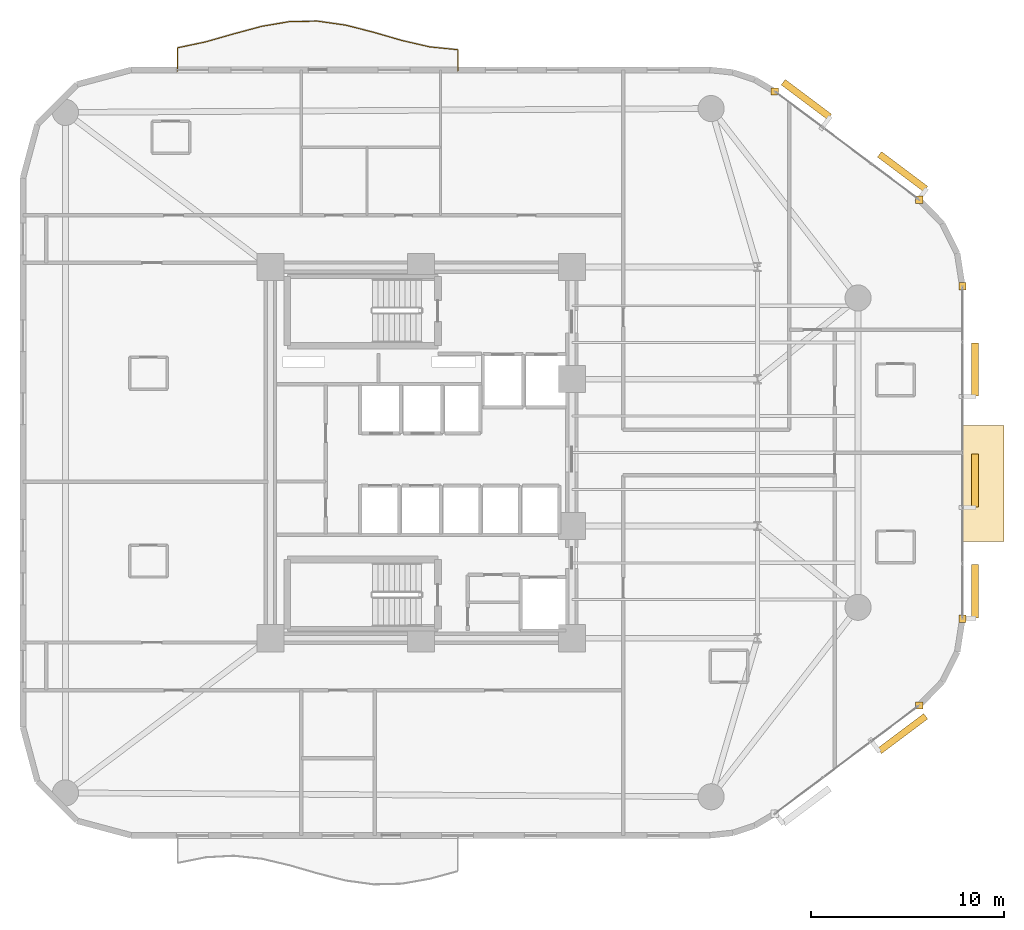
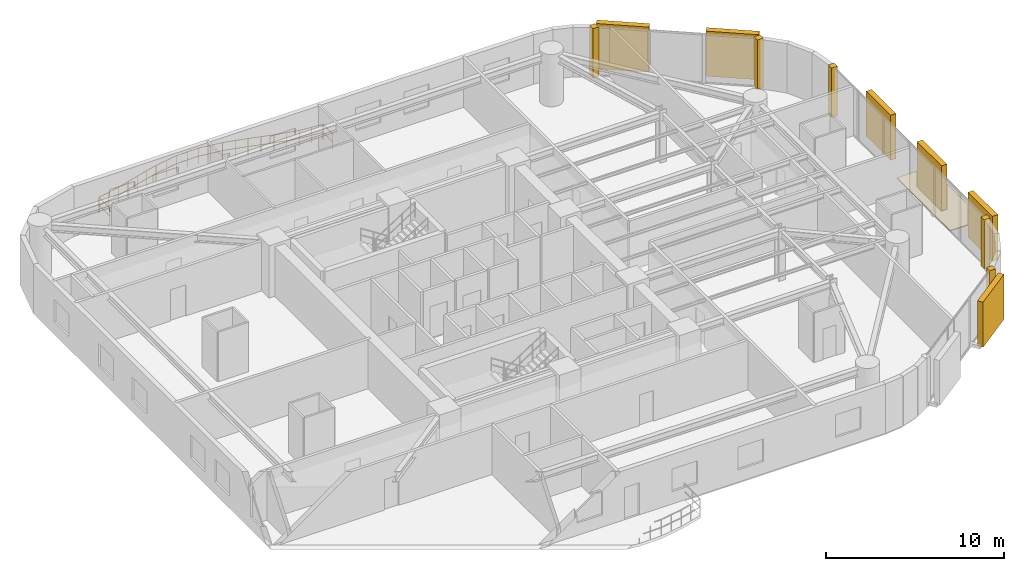
# One storey, part 16 of 16: 6 coverings, 6 shading devices, 1 railing.
"""IFC4 building model written with IfcOpenShell, lengths in metres."""

from ifc_helpers import new_model, si_unit, direction, frame, origin, origin_2d, place, context, subcontext, project, spatial, polyline, rectangle, circle, outline, extrude, material, layer, layer_set, type_object, element, save


model = new_model("IFC4")

# Units and contexts
model_context = context("Model", 3, precision=1e-05, world=origin(), true_north=direction((0.0, 1.0)))
body_context = subcontext(model_context, "Body", "Model", "MODEL_VIEW")
ifc_project = project(units=[si_unit("LENGTHUNIT", "METRE"), si_unit("AREAUNIT", "SQUARE_METRE"), si_unit("VOLUMEUNIT", "CUBIC_METRE"), si_unit("PLANEANGLEUNIT", "RADIAN"), si_unit("MASSUNIT", "GRAM", prefix="KILO")], contexts=[model_context])

# Site, building, storey
site_placement = place(None, origin())
site = spatial("IfcSite", under=ifc_project, at=site_placement, CompositionType="ELEMENT")
building_placement = place(site_placement, origin())
building = spatial("IfcBuilding", under=site, at=building_placement, Name="An Khanh Terracotta Commons", CompositionType="ELEMENT")
storey_placement = place(building_placement, frame((0.0, 0.0, 107.89990234375)))
storey = spatial("IfcBuildingStorey", under=building, at=storey_placement, Name="L28", CompositionType="ELEMENT", Elevation=107.89990234375)

# Coverings
ifc_material_1 = material(Name="Fired Terracotta Rainscreen Cladding", Category="masonry")
ifc_layer_1 = layer(ifc_material_1, 0.080078125, Name="Fired Terracotta Rainscreen Cladding")
ifc_layer_set_1 = layer_set([ifc_layer_1], Name="Fired Terracotta Rainscreen Cladding")
covering_type_1 = type_object("IfcCoveringType", Name="COV-JAMB-TERRA", PredefinedType="CLADDING", material=ifc_layer_set_1)
for number, where, z_axis, x_axis, name in (
    (1, (55.159912109375, 10.919921875, 0.000244140625), (0.0, 0.0, 1.0), (1.0, 0.0, 0.0), "L28 CW-02 Curtain-Wall Jamb Closure JB"),
    (2, (57.39990234375, 15.39990234375, 0.000244140625), (0.0, 0.0, 1.0), (1.0, 0.0, 0.0), "L28 CW-02 Curtain-Wall Jamb Closure JA"),
    (3, (57.39990234375, 32.60009765625, 0.000244140625), (0.0, 0.0, 1.0), (1.0, 0.0, 0.0), "L28 CW-02 Curtain-Wall Jamb Closure JB"),
    (4, (55.159912109375, 37.080078125, 0.000244140625), (0.0, 0.0, 1.0), (1.0, 0.0, 0.0), "L28 CW-02 Curtain-Wall Jamb Closure JA"),
    (5, (47.693115234375, 42.679931640625, 0.000244140625), (0.0, 0.0, 1.0), (1.0, 0.0, 0.0), "L28 CW-02 Curtain-Wall Jamb Closure JB"),
):
    element("IfcCovering", number, at=place(storey_placement, frame(where, z_axis=z_axis, x_axis=x_axis)), inside=storey, type_object=covering_type_1, Name=name, PredefinedType="CLADDING", context=body_context, shape_type="SweptSolid", body=[
        extrude(rectangle(XDim=0.3798828125, YDim=0.3798828125, at=origin_2d()), origin(), (0.0, 0.0, 1.0), 3.39990234375),
    ])
ifc_material_2 = material(Name="Planted Garden Waterproofing Membrane")
ifc_layer_2 = layer(ifc_material_2, 0.080078125, Name="Planted Garden Waterproofing Membrane")
ifc_layer_set_2 = layer_set([ifc_layer_2], Name="Planted Garden Waterproofing Membrane")
covering_type_2 = type_object("IfcCoveringType", Name="COV-ROOFING-GREEN", PredefinedType="ROOFING", material=ifc_layer_set_2)
covering_placement = place(storey_placement, origin())
element("IfcCovering", 6, at=covering_placement, inside=storey, type_object=covering_type_2, Name="L28 Shifted Box Roof Waterproofing (L27)", PredefinedType="ROOFING", context=body_context, shape_type="SweptSolid", body=[
    extrude(outline(polyline([(57.39990234375, 19.39990234375), (59.550048828125, 19.39990234375), (59.550048828125, 25.39990234375), (57.39990234375, 25.39990234375), (57.39990234375, 19.39990234375)])), origin(), (0.0, 0.0, 1.0), 0.06005859375),
])

# Railing
ifc_material_3 = material(Name="Brushed Stainless Steel 316", Category="steel")
railing_type = type_object("IfcRailingType", Name="RAIL-BALUSTRADE-1100", PredefinedType="BALUSTRADE", material=ifc_material_3)
railing_placement = place(storey_placement, frame((31.300048828125, 43.739990234375, 0.0)))
element("IfcRailing", 7, at=railing_placement, inside=storey, type_object=railing_type, Name="L28 N Wave Balcony Guard Balustrade", PredefinedType="BALUSTRADE", context=body_context, shape_type="SweptSolid", body=[
    extrude(circle(Radius=0.02392578125, at=origin_2d()), frame((0.0, 0.0, 1.076171875), z_axis=(0.0, 1.0, 0.0), x_axis=(-1.0, 0.0, 0.0)), (0.0, 0.0, 1.0), 1.10205078125),
    extrude(circle(Radius=0.02392578125, at=origin_2d()), frame((0.0, 0.0, 0.52587890625), z_axis=(0.0, 1.0, 0.0), x_axis=(-1.0, 0.0, 0.0)), (0.0, 0.0, 1.0), 1.10205078125),
    extrude(circle(Radius=0.02392578125, at=origin_2d()), frame((0.0, 1.10205078125, 1.076171875), z_axis=(-0.995101678838, 0.098856708287, 0.0), x_axis=(-0.098856708287, -0.995101678838, 0.0)), (0.0, 0.0, 1.0), 1.45703125),
    extrude(circle(Radius=0.02392578125, at=origin_2d()), frame((0.0, 1.10205078125, 0.52587890625), z_axis=(-0.995101678838, 0.098856708287, 0.0), x_axis=(-0.098856708287, -0.995101678838, 0.0)), (0.0, 0.0, 1.0), 1.45703125),
    extrude(circle(Radius=0.02392578125, at=origin_2d()), frame((-1.449951171875, 1.24609375, 1.076171875), z_axis=(-0.974346943636, 0.225051179574, 0.0), x_axis=(-0.225051179574, -0.974346943636, 0.0)), (0.0, 0.0, 1.0), 1.48828125),
    extrude(circle(Radius=0.02392578125, at=origin_2d()), frame((-1.449951171875, 1.24609375, 0.52587890625), z_axis=(-0.974346943636, 0.225051179574, 0.0), x_axis=(-0.225051179574, -0.974346943636, 0.0)), (0.0, 0.0, 1.0), 1.48828125),
    extrude(circle(Radius=0.02392578125, at=origin_2d()), frame((-2.900146484375, 1.5810546875, 1.076171875), z_axis=(-0.960529016595, 0.278179812854, 0.0), x_axis=(-0.278179812854, -0.960529016595, 0.0)), (0.0, 0.0, 1.0), 1.509521484375),
    extrude(circle(Radius=0.02392578125, at=origin_2d()), frame((-2.900146484375, 1.5810546875, 0.52587890625), z_axis=(-0.960529016595, 0.278179812854, 0.0), x_axis=(-0.278179812854, -0.960529016595, 0.0)), (0.0, 0.0, 1.0), 1.509521484375),
    extrude(circle(Radius=0.02392578125, at=origin_2d()), frame((-4.35009765625, 2.0009765625, 1.076171875), z_axis=(-0.968617567044, 0.248555846468, 0.0), x_axis=(-0.248555846468, -0.968617567044, 0.0)), (0.0, 0.0, 1.0), 1.496826171875),
    extrude(circle(Radius=0.02392578125, at=origin_2d()), frame((-4.35009765625, 2.0009765625, 0.52587890625), z_axis=(-0.968617567044, 0.248555846468, 0.0), x_axis=(-0.248555846468, -0.968617567044, 0.0)), (0.0, 0.0, 1.0), 1.496826171875),
    extrude(circle(Radius=0.02392578125, at=origin_2d()), frame((-5.800048828125, 2.373046875, 1.076171875), z_axis=(-0.98995949246, 0.141351346962, 0.0), x_axis=(-0.141351346962, -0.98995949246, 0.0)), (0.0, 0.0, 1.0), 1.464599609375),
    extrude(circle(Radius=0.02392578125, at=origin_2d()), frame((-5.800048828125, 2.373046875, 0.52587890625), z_axis=(-0.98995949246, 0.141351346962, 0.0), x_axis=(-0.141351346962, -0.98995949246, 0.0)), (0.0, 0.0, 1.0), 1.464599609375),
    extrude(circle(Radius=0.02392578125, at=origin_2d()), frame((-7.25, 2.580078125, 1.076171875), z_axis=(-0.999874767378, -0.015825598271, 0.0), x_axis=(0.015825598271, -0.999874767378, 0.0)), (0.0, 0.0, 1.0), 1.4501953125),
    extrude(circle(Radius=0.02392578125, at=origin_2d()), frame((-7.25, 2.580078125, 0.52587890625), z_axis=(-0.999874767378, -0.015825598271, 0.0), x_axis=(0.015825598271, -0.999874767378, 0.0)), (0.0, 0.0, 1.0), 1.4501953125),
    extrude(circle(Radius=0.02392578125, at=origin_2d()), frame((-8.699951171875, 2.55712890625, 1.076171875), z_axis=(-0.985795457601, -0.167950337221, 0.0), x_axis=(0.167950337221, -0.985795457601, 0.0)), (0.0, 0.0, 1.0), 1.47119140625),
    extrude(circle(Radius=0.02392578125, at=origin_2d()), frame((-8.699951171875, 2.55712890625, 0.52587890625), z_axis=(-0.985795457601, -0.167950337221, 0.0), x_axis=(0.167950337221, -0.985795457601, 0.0)), (0.0, 0.0, 1.0), 1.47119140625),
    extrude(circle(Radius=0.02392578125, at=origin_2d()), frame((-10.150146484375, 2.31005859375, 1.076171875), z_axis=(-0.965491648499, -0.260434015978, 0.0), x_axis=(0.260434015978, -0.965491648499, 0.0)), (0.0, 0.0, 1.0), 1.501708984375),
    extrude(circle(Radius=0.02392578125, at=origin_2d()), frame((-10.150146484375, 2.31005859375, 0.52587890625), z_axis=(-0.965491648499, -0.260434015978, 0.0), x_axis=(0.260434015978, -0.965491648499, 0.0)), (0.0, 0.0, 1.0), 1.501708984375),
    extrude(circle(Radius=0.02392578125, at=origin_2d()), frame((-11.60009765625, 1.9189453125, 1.076171875), z_axis=(-0.961603336638, -0.274443114262, 0.0), x_axis=(0.274443114262, -0.961603336638, 0.0)), (0.0, 0.0, 1.0), 1.5078125),
    extrude(circle(Radius=0.02392578125, at=origin_2d()), frame((-11.60009765625, 1.9189453125, 0.52587890625), z_axis=(-0.961603336638, -0.274443114262, 0.0), x_axis=(0.274443114262, -0.961603336638, 0.0)), (0.0, 0.0, 1.0), 1.5078125),
    extrude(circle(Radius=0.02392578125, at=origin_2d()), frame((-13.050048828125, 1.505126953125, 1.076171875), z_axis=(-0.978560272961, -0.205960656879, 0.0), x_axis=(0.205960656879, -0.978560272961, 0.0)), (0.0, 0.0, 1.0), 1.481689453125),
    extrude(circle(Radius=0.02392578125, at=origin_2d()), frame((-13.050048828125, 1.505126953125, 0.52587890625), z_axis=(-0.978560272961, -0.205960656879, 0.0), x_axis=(0.205960656879, -0.978560272961, 0.0)), (0.0, 0.0, 1.0), 1.481689453125),
    extrude(circle(Radius=0.02392578125, at=origin_2d()), frame((-14.5, 1.199951171875, 1.076171875), z_axis=(0.0, -1.0, 0.0), x_axis=(1.0, 0.0, 0.0)), (0.0, 0.0, 1.0), 1.199951171875),
    extrude(circle(Radius=0.02392578125, at=origin_2d()), frame((-14.5, 1.199951171875, 0.52587890625), z_axis=(0.0, -1.0, 0.0), x_axis=(1.0, 0.0, 0.0)), (0.0, 0.0, 1.0), 1.199951171875),
    extrude(circle(Radius=0.02099609375, at=origin_2d()), origin(), (0.0, 0.0, 1.0), 1.052001953125),
    extrude(circle(Radius=0.02099609375, at=origin_2d()), frame((0.0, 1.10205078125, 0.0)), (0.0, 0.0, 1.0), 1.052001953125),
    extrude(circle(Radius=0.02099609375, at=origin_2d()), frame((-0.72509765625, 1.174072265625, 0.0)), (0.0, 0.0, 1.0), 1.052001953125),
    extrude(circle(Radius=0.02099609375, at=origin_2d()), frame((-1.449951171875, 1.24609375, 0.0)), (0.0, 0.0, 1.0), 1.052001953125),
    extrude(circle(Radius=0.02099609375, at=origin_2d()), frame((-2.175048828125, 1.41357421875, 0.0)), (0.0, 0.0, 1.0), 1.052001953125),
    extrude(circle(Radius=0.02099609375, at=origin_2d()), frame((-2.900146484375, 1.5810546875, 0.0)), (0.0, 0.0, 1.0), 1.052001953125),
    extrude(circle(Radius=0.02099609375, at=origin_2d()), frame((-3.625, 1.791015625, 0.0)), (0.0, 0.0, 1.0), 1.052001953125),
    extrude(circle(Radius=0.02099609375, at=origin_2d()), frame((-4.35009765625, 2.0009765625, 0.0)), (0.0, 0.0, 1.0), 1.052001953125),
    extrude(circle(Radius=0.02099609375, at=origin_2d()), frame((-5.0751953125, 2.18701171875, 0.0)), (0.0, 0.0, 1.0), 1.052001953125),
    extrude(circle(Radius=0.02099609375, at=origin_2d()), frame((-5.800048828125, 2.373046875, 0.0)), (0.0, 0.0, 1.0), 1.052001953125),
    extrude(circle(Radius=0.02099609375, at=origin_2d()), frame((-6.52490234375, 2.4765625, 0.0)), (0.0, 0.0, 1.0), 1.052001953125),
    extrude(circle(Radius=0.02099609375, at=origin_2d()), frame((-7.25, 2.580078125, 0.0)), (0.0, 0.0, 1.0), 1.052001953125),
    extrude(circle(Radius=0.02099609375, at=origin_2d()), frame((-7.97509765625, 2.568603515625, 0.0)), (0.0, 0.0, 1.0), 1.052001953125),
    extrude(circle(Radius=0.02099609375, at=origin_2d()), frame((-8.699951171875, 2.55712890625, 0.0)), (0.0, 0.0, 1.0), 1.052001953125),
    extrude(circle(Radius=0.02099609375, at=origin_2d()), frame((-9.425048828125, 2.43359375, 0.0)), (0.0, 0.0, 1.0), 1.052001953125),
    extrude(circle(Radius=0.02099609375, at=origin_2d()), frame((-10.150146484375, 2.31005859375, 0.0)), (0.0, 0.0, 1.0), 1.052001953125),
    extrude(circle(Radius=0.02099609375, at=origin_2d()), frame((-10.875, 2.114501953125, 0.0)), (0.0, 0.0, 1.0), 1.052001953125),
    extrude(circle(Radius=0.02099609375, at=origin_2d()), frame((-11.60009765625, 1.9189453125, 0.0)), (0.0, 0.0, 1.0), 1.052001953125),
    extrude(circle(Radius=0.02099609375, at=origin_2d()), frame((-12.3251953125, 1.7119140625, 0.0)), (0.0, 0.0, 1.0), 1.052001953125),
    extrude(circle(Radius=0.02099609375, at=origin_2d()), frame((-13.050048828125, 1.505126953125, 0.0)), (0.0, 0.0, 1.0), 1.052001953125),
    extrude(circle(Radius=0.02099609375, at=origin_2d()), frame((-13.77490234375, 1.3525390625, 0.0)), (0.0, 0.0, 1.0), 1.052001953125),
    extrude(circle(Radius=0.02099609375, at=origin_2d()), frame((-14.5, 1.199951171875, 0.0)), (0.0, 0.0, 1.0), 1.052001953125),
    extrude(circle(Radius=0.02099609375, at=origin_2d()), frame((-14.5, 0.0, 0.0)), (0.0, 0.0, 1.0), 1.052001953125),
])

# Shading devices
ifc_material_4 = material(Name="Extruded Fired Terracotta", Category="masonry")
shading_device_type = type_object("IfcShadingDeviceType", Name="Terracotta Baguette Screen Assembly", PredefinedType="USERDEFINED", material=ifc_material_4)
shading_device_placement = place(storey_placement, frame((54.304931640625, 9.467041015625, 0.150146484375), z_axis=(0.0, 0.0, 1.0), x_axis=(0.800012856594, 0.599982857492, 0.0)))
element("IfcShadingDevice", 8, at=shading_device_placement, inside=storey, type_object=shading_device_type, Name="L28 Terracotta Baguette Screen 3", ObjectType="BAGUETTE", PredefinedType="USERDEFINED", context=body_context, shape_type="SweptSolid", body=[
    extrude(rectangle(XDim=2.990966796875, YDim=0.35009765625, at=origin_2d()), origin(), (0.0, 0.0, 1.0), 3.10009765625),
])
for number, where, z_axis, x_axis, name in (
    (9, (58.050048828125, 16.8330078125, 0.150146484375), (0.0, 0.0, 1.0), (0.0, 1.0, 0.0), "L28 Terracotta Baguette Screen 1"),
    (10, (58.050048828125, 22.56689453125, 0.150146484375), (0.0, 0.0, 1.0), (0.0, 1.0, 0.0), "L28 Terracotta Baguette Screen 3"),
    (11, (58.050048828125, 28.300048828125, 0.150146484375), (0.0, 0.0, 1.0), (0.0, 1.0, 0.0), "L28 Terracotta Baguette Screen 5"),
):
    element("IfcShadingDevice", number, at=place(storey_placement, frame(where, z_axis=z_axis, x_axis=x_axis)), inside=storey, type_object=shading_device_type, Name=name, ObjectType="BAGUETTE", PredefinedType="USERDEFINED", context=body_context, shape_type="SweptSolid", body=[
        extrude(rectangle(XDim=2.7470703125, YDim=0.35009765625, at=origin_2d()), origin(), (0.0, 0.0, 1.0), 3.10009765625),
    ])
for number, where, z_axis, x_axis, name in (
    (12, (54.304931640625, 38.532958984375, 0.150146484375), (0.0, 0.0, 1.0), (-0.800012856594, 0.599982857492, 0.0), "L28 Terracotta Baguette Screen 1"),
    (13, (49.326904296875, 42.26708984375, 0.150146484375), (0.0, 0.0, 1.0), (-0.800012856594, 0.599982857492, 0.0), "L28 Terracotta Baguette Screen 3"),
):
    element("IfcShadingDevice", number, at=place(storey_placement, frame(where, z_axis=z_axis, x_axis=x_axis)), inside=storey, type_object=shading_device_type, Name=name, ObjectType="BAGUETTE", PredefinedType="USERDEFINED", context=body_context, shape_type="SweptSolid", body=[
        extrude(rectangle(XDim=2.990966796875, YDim=0.35009765625, at=origin_2d()), origin(), (0.0, 0.0, 1.0), 3.10009765625),
    ])

save(model, "model.ifc")
